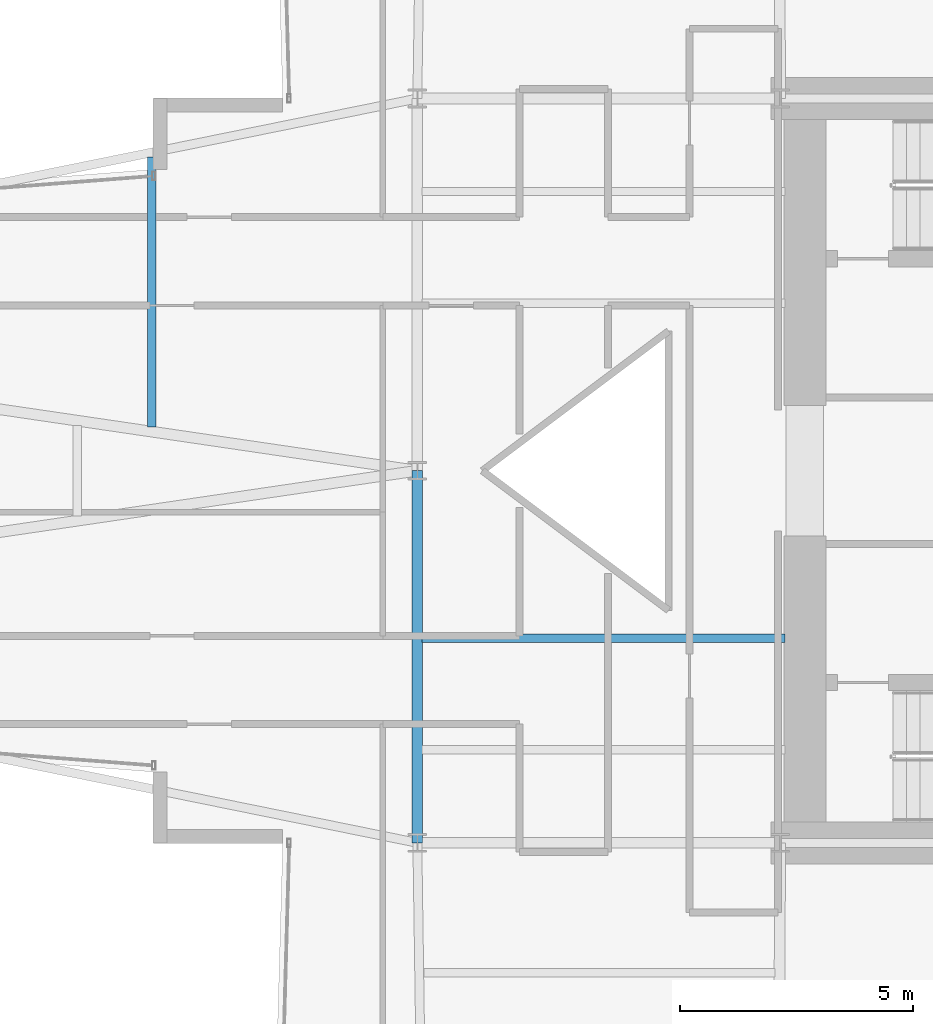
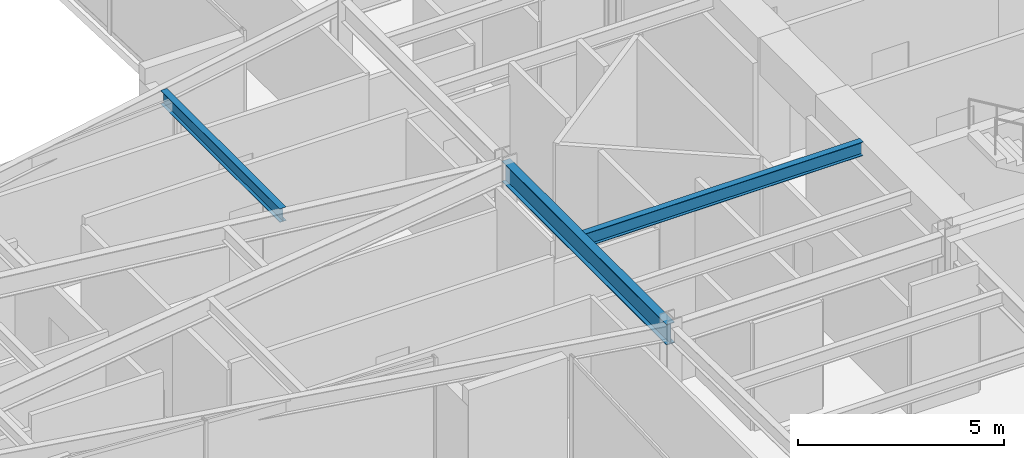
# One storey, part 11 of 30: 3 beams.
"""IFC4 building model written with IfcOpenShell, lengths in metres."""

from ifc_helpers import new_model, si_unit, direction, frame, origin, origin_2d, place, context, subcontext, project, spatial, i_section, extrude, material, material_profile, profile_set, type_object, element, save


model = new_model("IFC4")

# Units and contexts
model_context = context("Model", 3, precision=1e-05, world=origin(), true_north=direction((0.0, 1.0)))
body_context = subcontext(model_context, "Body", "Model", "MODEL_VIEW")
ifc_project = project(units=[si_unit("LENGTHUNIT", "METRE"), si_unit("AREAUNIT", "SQUARE_METRE"), si_unit("VOLUMEUNIT", "CUBIC_METRE"), si_unit("PLANEANGLEUNIT", "RADIAN"), si_unit("MASSUNIT", "GRAM", prefix="KILO")], contexts=[model_context])

# Site, building, storey
site_placement = place(None, origin())
site = spatial("IfcSite", under=ifc_project, at=site_placement, CompositionType="ELEMENT")
building_placement = place(site_placement, origin())
building = spatial("IfcBuilding", under=site, at=building_placement, Name="Veymaron Broadcast Tower", CompositionType="ELEMENT")
storey_placement = place(building_placement, frame((0.0, 0.0, 49.949951171875)))
storey = spatial("IfcBuildingStorey", under=building, at=storey_placement, Name="L10", CompositionType="ELEMENT", Elevation=49.949951171875)

# Beams
ifc_material = material(Name="Structural steel ASTM A992 Gr 50", Category="steel")
ifc_material_profile_1 = material_profile(ifc_material, i_section(OverallWidth=0.22998046875, OverallDepth=0.616943359375, WebThickness=0.01318359375, FlangeThickness=0.022216796875, at=origin_2d()), Name="W610X140")
ifc_profile_set_1 = profile_set([ifc_material_profile_1], Name="Structural steel ASTM A992 Gr 50")
beam_type_1 = type_object("IfcBeamType", Name="BM-FG1", PredefinedType="BEAM", material=ifc_profile_set_1)
beam_1_placement = place(storey_placement, frame((31.199951171875, 16.0, 3.50146484375), z_axis=(0.0, 1.0, 0.0), x_axis=(-1.0, 0.0, 0.0)))
element("IfcBeam", 1, at=beam_1_placement, inside=storey, type_object=beam_type_1, Name="L10 primary structural floor girder", PredefinedType="BEAM", context=body_context, shape_type="SweptSolid", body=[
    extrude(i_section(OverallWidth=0.22998046875, OverallDepth=0.616943359375, WebThickness=0.01318359375, FlangeThickness=0.022216796875, at=origin_2d()), origin(), (0.0, 0.0, 1.0), 8.0),
])
ifc_material_profile_2 = material_profile(ifc_material, i_section(OverallWidth=0.177978515625, OverallDepth=0.406982421875, WebThickness=0.0078125, FlangeThickness=0.0126953125, at=origin_2d()), Name="W410X60")
ifc_profile_set_2 = profile_set([ifc_material_profile_2], Name="Structural steel ASTM A992 Gr 50")
beam_type_2 = type_object("IfcBeamType", Name="BM-JS1", PredefinedType="JOIST", material=ifc_profile_set_2)
beam_2_placement = place(storey_placement, frame((25.488037109375, 24.93994140625, 3.6064453125), z_axis=(0.0, 1.0, 0.0), x_axis=(-1.0, 0.0, 0.0)))
element("IfcBeam", 2, at=beam_2_placement, inside=storey, type_object=beam_type_2, Name="L10 Arm-A secondary joist 2N", PredefinedType="JOIST", context=body_context, shape_type="SweptSolid", body=[
    extrude(i_section(OverallWidth=0.177978515625, OverallDepth=0.406982421875, WebThickness=0.0078125, FlangeThickness=0.0126953125, at=origin_2d()), origin(), (0.0, 0.0, 1.0), 5.800048828125),
])
beam_3_placement = place(storey_placement, frame((31.300048828125, 20.39990234375, 3.6064453125), z_axis=(1.0, 0.0, 0.0), x_axis=(0.0, 1.0, 0.0)))
element("IfcBeam", 3, at=beam_3_placement, inside=storey, type_object=beam_type_2, Name="L10 Hub secondary joist 2", PredefinedType="JOIST", context=body_context, shape_type="SweptSolid", body=[
    extrude(i_section(OverallWidth=0.177978515625, OverallDepth=0.406982421875, WebThickness=0.0078125, FlangeThickness=0.0126953125, at=origin_2d()), origin(), (0.0, 0.0, 1.0), 7.800048828125),
])

save(model, "model.ifc")
